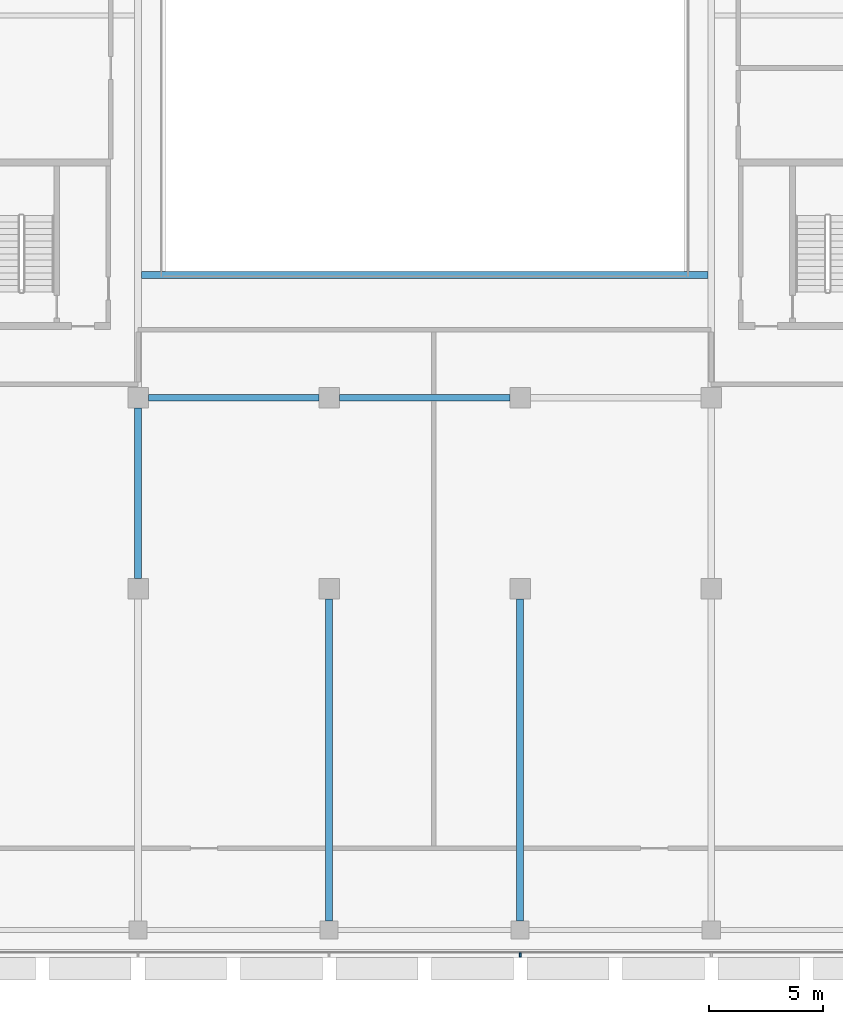
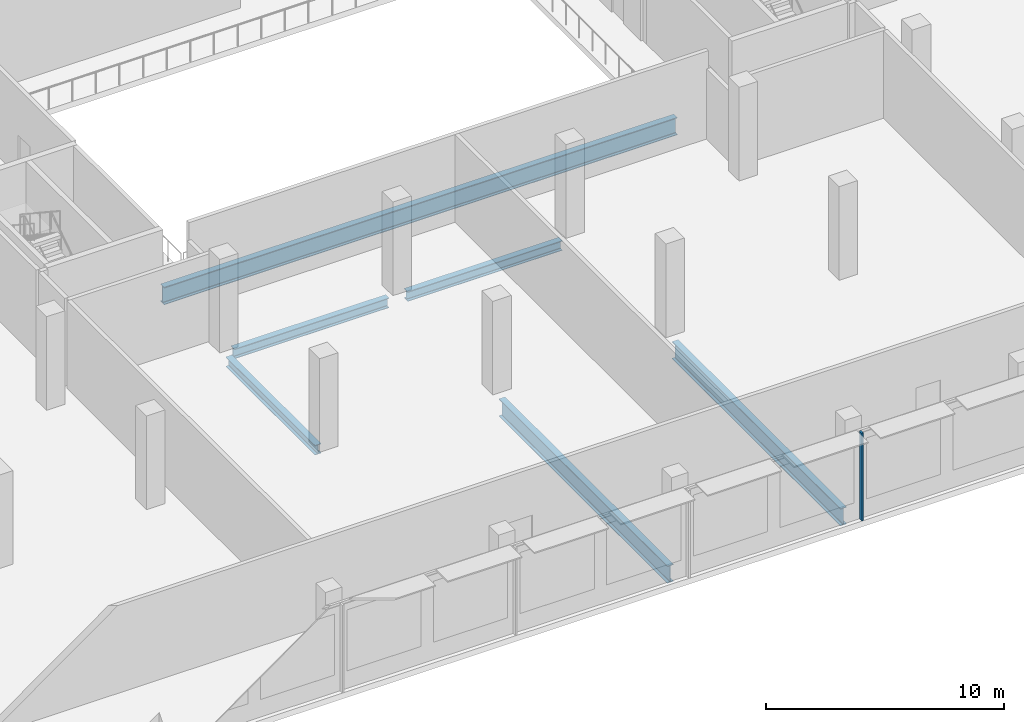
# One storey, part 6 of 39: 6 beams, 1 member, 1 element without a shape of its own.
"""IFC4 building model written with IfcOpenShell, lengths in metres."""

from ifc_helpers import new_model, si_unit, direction, frame, origin, origin_2d, place, context, subcontext, project, spatial, rectangle, i_section, extrude, material, material_profile, profile_set, type_object, element, aggregate, save


model = new_model("IFC4")

# Units and contexts
model_context = context("Model", 3, precision=1e-05, world=origin(), true_north=direction((0.0, 1.0)))
body_context = subcontext(model_context, "Body", "Model", "MODEL_VIEW")
ifc_project = project(units=[si_unit("LENGTHUNIT", "METRE"), si_unit("AREAUNIT", "SQUARE_METRE"), si_unit("VOLUMEUNIT", "CUBIC_METRE"), si_unit("PLANEANGLEUNIT", "RADIAN"), si_unit("MASSUNIT", "GRAM", prefix="KILO")], contexts=[model_context])

# Site, building, storey
site_placement = place(None, origin())
site = spatial("IfcSite", under=ifc_project, at=site_placement, CompositionType="ELEMENT")
building_placement = place(site_placement, origin())
building = spatial("IfcBuilding", under=site, at=building_placement, Name="Saffron Gate Tower", CompositionType="ELEMENT")
storey_placement = place(building_placement, frame((0.0, 0.0, 14.39990234375)))
storey = spatial("IfcBuildingStorey", under=building, at=storey_placement, Name="L02", CompositionType="ELEMENT", Elevation=14.39990234375)

# Beams
ifc_material_1 = material(Name="Structural steel S355", Category="steel")
ifc_material_profile_1 = material_profile(ifc_material_1, i_section(OverallWidth=0.300048828125, OverallDepth=0.889892578125, WebThickness=0.01611328125, FlangeThickness=0.030029296875, FilletRadius=0.030029296875, at=origin_2d()))
ifc_profile_set_1 = profile_set([ifc_material_profile_1], Name="Structural steel S355")
beam_type_1 = type_object("IfcBeamType", Name="B19 HEA 900", PredefinedType="BEAM", material=ifc_profile_set_1)
for number, where, z_axis, x_axis, name in (
    (1, (83.39990234375, 17.199951171875, -0.744873046875), (0.0, 1.0, 0.0), (-1.0, 0.0, 0.0), "B19 PODIUM RING GIRDER"),
    (2, (91.800048828125, 17.199951171875, -0.744873046875), (0.0, 1.0, 0.0), (-1.0, 0.0, 0.0), "B19 PODIUM RING GIRDER"),
):
    element("IfcBeam", number, at=place(storey_placement, frame(where, z_axis=z_axis, x_axis=x_axis)), inside=storey, type_object=beam_type_1, Name=name, PredefinedType="BEAM", context=body_context, shape_type="SweptSolid", body=[
        extrude(i_section(OverallWidth=0.300048828125, OverallDepth=0.889892578125, WebThickness=0.01611328125, FlangeThickness=0.030029296875, FilletRadius=0.030029296875, at=origin_2d()), origin(), (0.0, 0.0, 1.0), 14.150146484375),
    ])
ifc_material_profile_2 = material_profile(ifc_material_1, i_section(OverallWidth=0.300048828125, OverallDepth=0.89990234375, WebThickness=0.0185546875, FlangeThickness=0.034912109375, FilletRadius=0.030029296875, at=origin_2d()))
ifc_profile_set_2 = profile_set([ifc_material_profile_2], Name="Structural steel S355")
beam_type_2 = type_object("IfcBeamType", Name="B20 HEB 900", PredefinedType="BEAM", material=ifc_profile_set_2)
beam_placement = place(storey_placement, frame((75.14990234375, 45.60009765625, -0.75), z_axis=(1.0, 0.0, 0.0), x_axis=(0.0, 1.0, 0.0)))
element("IfcBeam", 3, at=beam_placement, inside=storey, type_object=beam_type_2, Name="B20 ATRIUM GIRDER", PredefinedType="BEAM", context=body_context, shape_type="SweptSolid", body=[
    extrude(i_section(OverallWidth=0.300048828125, OverallDepth=0.89990234375, WebThickness=0.0185546875, FlangeThickness=0.034912109375, FilletRadius=0.030029296875, at=origin_2d()), origin(), (0.0, 0.0, 1.0), 24.900146484375),
])
ifc_material_profile_3 = material_profile(ifc_material_1, i_section(OverallWidth=0.300048828125, OverallDepth=0.5, WebThickness=0.014404296875, FlangeThickness=0.028076171875, FilletRadius=0.027099609375, at=origin_2d()))
ifc_profile_set_3 = profile_set([ifc_material_profile_3], Name="Structural steel S355")
beam_type_3 = type_object("IfcBeamType", Name="B9 HEB 500", PredefinedType="BEAM", material=ifc_profile_set_3)
for number, where, z_axis, x_axis, name in (
    (4, (75.0, 32.25, -0.5498046875), (0.0, 1.0, 0.0), (-1.0, 0.0, 0.0), "B9 FLOOR GIRDER"),
    (5, (75.449951171875, 40.199951171875, -0.5498046875), (1.0, 0.0, 0.0), (0.0, 1.0, 0.0), "B9 FLOOR GIRDER"),
    (6, (83.85009765625, 40.199951171875, -0.5498046875), (1.0, 0.0, 0.0), (0.0, 1.0, 0.0), "B9 FLOOR GIRDER"),
):
    element("IfcBeam", number, at=place(storey_placement, frame(where, z_axis=z_axis, x_axis=x_axis)), inside=storey, type_object=beam_type_3, Name=name, PredefinedType="BEAM", context=body_context, shape_type="SweptSolid", body=[
        extrude(i_section(OverallWidth=0.300048828125, OverallDepth=0.5, WebThickness=0.014404296875, FlangeThickness=0.028076171875, FilletRadius=0.027099609375, at=origin_2d()), origin(), (0.0, 0.0, 1.0), 7.5),
    ])

# Curtain wall, member
ifc_material_2 = material(Name="Aluminium, bronze anodised", Category="aluminium")
curtain_wall_type = type_object("IfcCurtainWallType", Name="CWS5 curtain wall podium ring base", PredefinedType="NOTDEFINED", material=ifc_material_2)
curtain_wall_placement = place(storey_placement, origin())
curtain_wall = element("IfcCurtainWall", 7, at=curtain_wall_placement, inside=storey, type_object=curtain_wall_type, Name="CWS5 run 1", PredefinedType="NOTDEFINED")
ifc_material_profile_4 = material_profile(ifc_material_2, rectangle(XDim=0.199951171875, YDim=0.080078125, at=origin_2d()))
ifc_profile_set_4 = profile_set([ifc_material_profile_4], Name="Aluminium, bronze anodised")
member_type = type_object("IfcMemberType", Name="CWS5 mullion 80x200", PredefinedType="MULLION", material=ifc_profile_set_4)
member_placement = place(storey_placement, frame((91.800048828125, 15.699951171875, 0.0), z_axis=(0.0, 0.0, 1.0), x_axis=(0.0, 1.0, 0.0)))
member = element("IfcMember", 8, at=member_placement, type_object=member_type, Name="CWS5 mullion 9", PredefinedType="MULLION", context=body_context, shape_type="SweptSolid", body=[
    extrude(rectangle(XDim=0.199951171875, YDim=0.080078125, at=origin_2d()), origin(), (0.0, 0.0, 1.0), 4.5),
])
aggregate(curtain_wall, [member])

save(model, "model.ifc")
